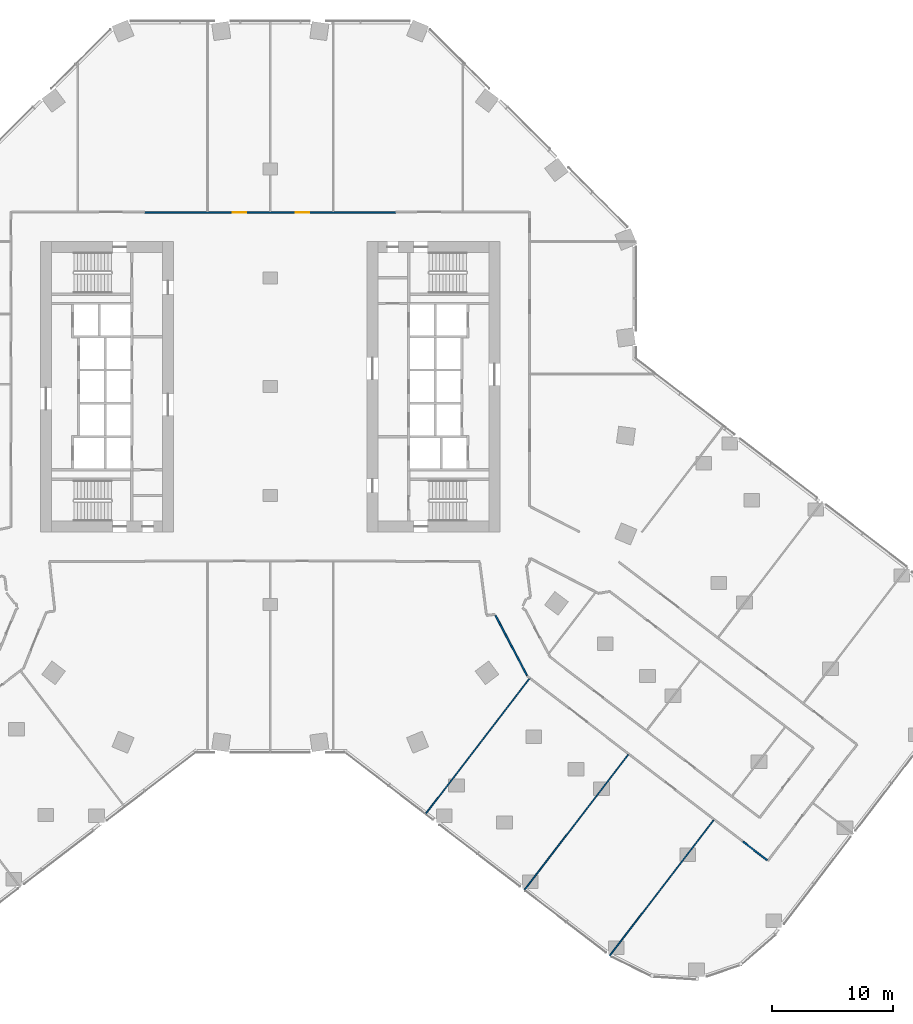
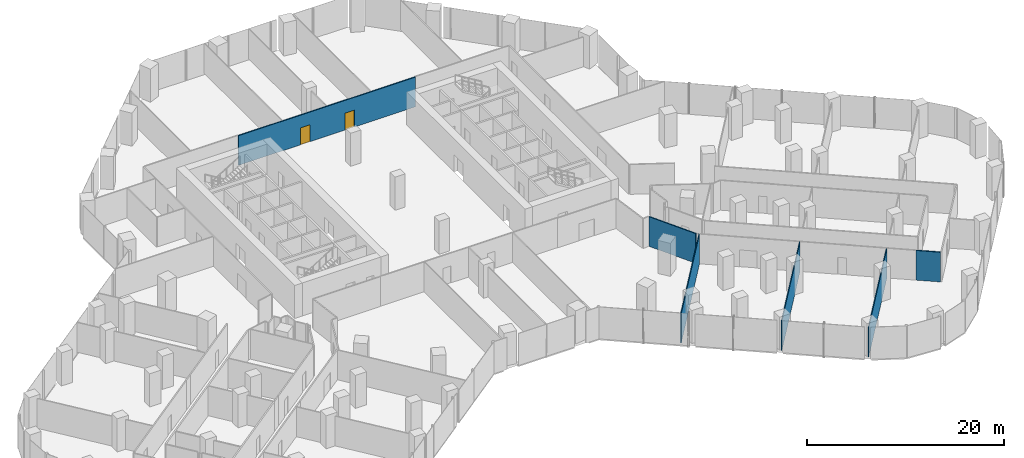
# One storey, part 24 of 29: 6 walls, 2 doors, 2 openings.
"""IFC4 building model written with IfcOpenShell, lengths in metres."""

import ifcopenshell
import ifcopenshell.guid

model = None  # the IFC model being written
_history = None  # IfcOwnerHistory: only IFC2X3 demands one
_inside = {}  # id of a spatial element -> (the spatial element, [elements in it])
_under = {}  # id of a project, library or spatial element -> (it, [spatial elements below it])
_declared = {}  # id of a project -> (the project, [libraries it declares])
_typed = {}  # id of a type object -> (the type object, [elements of that type])
_made_of = {}  # id of a material, layer set ... -> (it, [elements and type objects made of it])


def new_model(schema):
    """Start an empty IFC model of exactly this schema.

    Asked for "IFC4X3", IfcOpenShell would pick the latest addendum, in which some entities
    have other attributes; the version numbers below select the first issue.
    IFC2X3 requires an IfcOwnerHistory on every rooted entity: one is made here for all.
    """
    global model, _history
    if schema == "IFC4X3":
        model = ifcopenshell.file(schema_version=(4, 3, 0, 0))
    else:
        model = ifcopenshell.file(schema=schema)
    _inside.clear()
    _under.clear()
    _declared.clear()
    _typed.clear()
    _made_of.clear()
    _history = None
    if model.schema == "IFC2X3":
        org = make("IfcOrganization", Name="unknown")
        user = make(
            "IfcPersonAndOrganization",
            ThePerson=make("IfcPerson", FamilyName="unknown"),
            TheOrganization=org,
        )
        app = make(
            "IfcApplication",
            ApplicationDeveloper=org,
            Version="unknown",
            ApplicationFullName="unknown",
            ApplicationIdentifier="unknown",
        )
        _history = make(
            "IfcOwnerHistory",
            OwningUser=user,
            OwningApplication=app,
            ChangeAction="ADDED",
            CreationDate=0,
        )
    return model


def make(cls, **values):
    """One entity of the class cls with the attributes given. An attribute that is None is left unset."""
    return model.create_entity(
        cls, **{name: value for name, value in values.items() if value is not None}
    )


def rooted(cls, **values):
    """An entity with a GlobalId (a new one), such as an element, a storey or a relation."""
    return make(cls, GlobalId=ifcopenshell.guid.new(), OwnerHistory=_history, **values)


def si_unit(unit_type, name, prefix=None):
    """IfcSIUnit, for example si_unit("LENGTHUNIT", "METRE", prefix="MILLI")."""
    return make("IfcSIUnit", UnitType=unit_type, Prefix=prefix, Name=name)


def assignment(units):
    """IfcUnitAssignment: the units of a project."""
    return None if units is None else make("IfcUnitAssignment", Units=units)


def point(xyz):
    """IfcCartesianPoint."""
    return None if xyz is None else make("IfcCartesianPoint", Coordinates=xyz)


def direction(xyz):
    """IfcDirection."""
    return None if xyz is None else make("IfcDirection", DirectionRatios=xyz)


def frame(location, z_axis=None, x_axis=None):
    """IfcAxis2Placement3D, a coordinate frame: its origin and axes. An axis left out is left unset."""
    return make(
        "IfcAxis2Placement3D",
        Location=point(location),
        Axis=direction(z_axis),
        RefDirection=direction(x_axis),
    )


def frame_2d(location, x_axis=None):
    """IfcAxis2Placement2D, a coordinate frame in the plane: its origin and x axis."""
    return make(
        "IfcAxis2Placement2D", Location=point(location), RefDirection=direction(x_axis)
    )


def origin():
    """The frame at (0, 0, 0) with its axes left unset."""
    return frame((0.0, 0.0, 0.0))


def place(relative_to, where):
    """IfcLocalPlacement: puts the frame where relative to a parent placement (None: the world)."""
    return make(
        "IfcLocalPlacement", PlacementRelTo=relative_to, RelativePlacement=where
    )


def context(
    kind, dimensions, precision=None, world=None, true_north=None, identifier=None
):
    """IfcGeometricRepresentationContext, for example the 3D "Model" context."""
    return make(
        "IfcGeometricRepresentationContext",
        ContextIdentifier=identifier,
        ContextType=kind,
        CoordinateSpaceDimension=dimensions,
        Precision=precision,
        WorldCoordinateSystem=world,
        TrueNorth=true_north,
    )


def subcontext(parent, identifier, kind, view, scale=None):
    """IfcGeometricRepresentationSubContext, for example "Body" below "Model"."""
    return make(
        "IfcGeometricRepresentationSubContext",
        ContextIdentifier=identifier,
        ContextType=kind,
        ParentContext=parent,
        TargetScale=scale,
        TargetView=view,
    )


def project(units=None, contexts=None):
    """IfcProject with its units and contexts."""
    return rooted(
        "IfcProject",
        Name="project",
        RepresentationContexts=contexts,
        UnitsInContext=assignment(units),
    )


def spatial(cls, under=None, at=None, **own):
    """A site, building, storey or space (cls), placed at a placement, below another one or the project."""
    s = rooted(cls, ObjectPlacement=at, **own)
    if under is not None:
        _under.setdefault(under.id(), (under, []))[1].append(s)
    return s


def profile(cls, at=None, kind="AREA", **sizes):
    """A parametric profile (cls). Its sizes go by their IFC names, for example OverallWidth=200.0."""
    return make(cls, ProfileType=kind, Position=at, **sizes)


def rectangle(**sizes):
    """IfcRectangleProfileDef."""
    return profile("IfcRectangleProfileDef", **sizes)


def extrude(swept, where, along, depth):
    """IfcExtrudedAreaSolid: the profile swept, set in the frame where, extruded along a direction by depth."""
    return make(
        "IfcExtrudedAreaSolid",
        SweptArea=swept,
        Position=where,
        ExtrudedDirection=direction(along),
        Depth=depth,
    )


def shape(context_of_items, identifier, shape_type, items):
    """IfcShapeRepresentation: the items that make up one representation, for example the "Body"."""
    return make(
        "IfcShapeRepresentation",
        ContextOfItems=context_of_items,
        RepresentationIdentifier=identifier,
        RepresentationType=shape_type,
        Items=items,
    )


def material(Name=None, Category=None):
    """IfcMaterial."""
    return make("IfcMaterial", Name=Name, Category=Category)


def layer(
    of_material, thickness, ventilated=None, Name=None, Category=None, Priority=None
):
    """IfcMaterialLayer: one layer of a wall or slab, of a material (None: an air gap)."""
    return make(
        "IfcMaterialLayer",
        Material=of_material,
        LayerThickness=thickness,
        IsVentilated=ventilated,
        Name=Name,
        Category=Category,
        Priority=Priority,
    )


def layer_set(layers, Name=None):
    """IfcMaterialLayerSet."""
    return make("IfcMaterialLayerSet", MaterialLayers=layers, LayerSetName=Name)


def made_of(thing, what):
    """Note that an element or type object is made of a material, layer set ...; save() writes the relation."""
    if what is not None:
        _made_of.setdefault(what.id(), (what, []))[1].append(thing)
    return thing


def type_object(cls, material=None, **own):
    """A type object (cls), such as IfcWallType, which elements share."""
    return made_of(rooted(cls, **own), material)


def element(
    cls,
    number,
    at=None,
    inside=None,
    cuts=None,
    type_object=None,
    material=None,
    context=None,
    identifier="Body",
    shape_type=None,
    held_by="IfcProductDefinitionShape",
    body=None,
    shapes=None,
    **own,
):
    """One element of the class cls, such as IfcWall. Its Tag is "e" and its number.

    at: its placement. inside: the storey or other place that contains it. cuts: it is an
    opening in that element (IfcRelVoidsElement). A single representation is given by context,
    identifier, shape_type and body (its items); several are given by shapes. held_by: the class
    of the entity that holds the representations. save() writes the other relations.
    """
    e = rooted(cls, Tag="e%d" % number, ObjectPlacement=at, **own)
    if body is not None:
        shapes = [shape(context, identifier, shape_type, body)]
    if shapes is not None:
        e.Representation = make(held_by, Representations=shapes)
    if inside is not None:
        _inside.setdefault(inside.id(), (inside, []))[1].append(e)
    if cuts is not None:
        rooted(
            "IfcRelVoidsElement", RelatingBuildingElement=cuts, RelatedOpeningElement=e
        )
    if type_object is not None:
        _typed.setdefault(type_object.id(), (type_object, []))[1].append(e)
    return made_of(e, material)


def fill(opening, filler):
    """IfcRelFillsElement: the door or window that sits in an opening."""
    return rooted(
        "IfcRelFillsElement",
        RelatingOpeningElement=opening,
        RelatedBuildingElement=filler,
    )


def aggregate(whole, parts):
    """IfcRelAggregates: a whole, such as a stair, and the parts it consists of."""
    return rooted("IfcRelAggregates", RelatingObject=whole, RelatedObjects=parts)


def save(model, path):
    """Write the relations noted so far, then the file.

    IfcRelAggregates (storeys below a building ...), IfcRelContainedInSpatialStructure (elements
    in a storey), IfcRelDefinesByType, IfcRelAssociatesMaterial and IfcRelDeclares: one each for
    every whole, place, type object, material and project.
    """
    for whole, parts in _under.values():
        aggregate(whole, parts)
    for where, things in _inside.values():
        rooted(
            "IfcRelContainedInSpatialStructure",
            RelatedElements=things,
            RelatingStructure=where,
        )
    for kind, things in _typed.values():
        rooted("IfcRelDefinesByType", RelatedObjects=things, RelatingType=kind)
    for what, things in _made_of.values():
        rooted("IfcRelAssociatesMaterial", RelatedObjects=things, RelatingMaterial=what)
    for by, libraries in _declared.values():
        rooted("IfcRelDeclares", RelatingContext=by, RelatedDefinitions=libraries)
    model.write(path)


model = new_model("IFC4")

# Units and contexts
model_context = context("Model", 3, precision=1e-05, world=origin(), true_north=direction((0.0, 1.0)))
body_context = subcontext(model_context, "Body", "Model", "MODEL_VIEW")
ifc_project = project(units=[si_unit("LENGTHUNIT", "METRE"), si_unit("AREAUNIT", "SQUARE_METRE"), si_unit("VOLUMEUNIT", "CUBIC_METRE"), si_unit("PLANEANGLEUNIT", "RADIAN"), si_unit("MASSUNIT", "GRAM", prefix="KILO")], contexts=[model_context])

# Site, building, storey
site_placement = place(None, origin())
site = spatial("IfcSite", under=ifc_project, at=site_placement, CompositionType="ELEMENT")
building_placement = place(site_placement, origin())
building = spatial("IfcBuilding", under=site, at=building_placement, Name="Orlundy Tower", CompositionType="ELEMENT")
storey_placement = place(building_placement, frame((0.0, 0.0, 25.10009765625)))
storey = spatial("IfcBuildingStorey", under=building, at=storey_placement, Name="L04", CompositionType="ELEMENT", Elevation=25.10009765625)

# Walls
ifc_material_1 = material(Name="Gypsum board partition")
ifc_layer_1 = layer(ifc_material_1, 0.10009765625)
ifc_layer_set_1 = layer_set([ifc_layer_1], Name="Floor partition 100")
wall_type_1 = type_object("IfcWallType", Name="Floor partition 100", PredefinedType="PARTITIONING", material=ifc_layer_set_1)
for number, where, z_axis, x_axis, name in (
    (1, (28.053955078125, -47.051025390625, 0.0), (0.0, 0.0, 1.0), (0.608819037892, 0.793309132117, 0.0), "wall-int-L04-073"),
    (2, (20.992919921875, -41.633056640625, 0.0), (0.0, 0.0, 1.0), (0.608829906099, 0.793300791277, 0.0), "wall-int-L04-076"),
):
    element("IfcWall", number, at=place(storey_placement, frame(where, z_axis=z_axis, x_axis=x_axis)), inside=storey, type_object=wall_type_1, Name=name, PredefinedType="PARTITIONING", context=body_context, shape_type="SweptSolid", body=[
        extrude(rectangle(XDim=14.13720703125, YDim=0.10009765625, at=frame_2d((7.068603515625, 0.0))), origin(), (0.0, 0.0, 1.0), 3.679931640625),
    ])
wall_1_placement = place(storey_placement, frame((12.81689453125, -35.35888671875, 0.0), z_axis=(0.0, 0.0, 1.0), x_axis=(0.608769712687, 0.793346983932, 0.0)))
element("IfcWall", 3, at=wall_1_placement, inside=storey, type_object=wall_type_1, Name="wall-int-L04-079", PredefinedType="PARTITIONING", context=body_context, shape_type="SweptSolid", body=[
    extrude(rectangle(XDim=14.19921875, YDim=0.10009765625, at=frame_2d((7.099609375, 0.0))), origin(), (0.0, 0.0, 1.0), 3.679931640625),
])
ifc_material_2 = material(Name="Gypsum board partition, double layer")
ifc_layer_2 = layer(ifc_material_2, 0.125)
ifc_layer_set_2 = layer_set([ifc_layer_2], Name="Floor partition 125")
wall_type_2 = type_object("IfcWallType", Name="Floor partition 125", PredefinedType="PARTITIONING", material=ifc_layer_set_2)
wall_2_placement = place(storey_placement, frame((18.614990234375, -18.908935546875, 0.0), z_axis=(0.0, 0.0, 1.0), x_axis=(0.464655649815, -0.885491460769, 0.0)))
element("IfcWall", 4, at=wall_2_placement, inside=storey, type_object=wall_type_2, Name="wall-int-L04-008", PredefinedType="PARTITIONING", context=body_context, shape_type="SweptSolid", body=[
    extrude(rectangle(XDim=5.6103515625, YDim=0.125, at=frame_2d((2.80517578125, 0.0))), origin(), (0.0, 0.0, 1.0), 3.679931640625),
])
wall_3_placement = place(storey_placement, frame((39.089111328125, -37.6201171875, 0.0), z_axis=(0.0, 0.0, 1.0), x_axis=(0.793216962218, -0.608939119166, 0.0)))
element("IfcWall", 5, at=wall_3_placement, inside=storey, type_object=wall_type_2, Name="wall-int-L04-027", PredefinedType="PARTITIONING", context=body_context, shape_type="SweptSolid", body=[
    extrude(rectangle(XDim=2.52392578125, YDim=0.125, at=frame_2d((1.261962890625, 0.0))), origin(), (0.0, 0.0, 1.0), 3.679931640625),
])

# Wall, openings, doors
wall_4_placement = place(storey_placement, frame((-10.389892578125, 14.40087890625, 0.0), z_axis=(0.0, 0.0, 1.0), x_axis=(1.0, 0.0, 0.0)))
wall_4 = element("IfcWall", 6, at=wall_4_placement, inside=storey, type_object=wall_type_2, Name="wall-int-L04-047", PredefinedType="PARTITIONING", context=body_context, shape_type="SweptSolid", body=[
    extrude(rectangle(XDim=20.781005859375, YDim=0.125, at=frame_2d((10.390625, 0.0))), origin(), (0.0, 0.0, 1.0), 3.679931640625),
])
opening_1_placement = place(wall_4_placement, frame((12.489990234375, 0.0, 0.0)))
opening_1 = element("IfcOpeningElement", 7, at=opening_1_placement, cuts=wall_4, Name="Opening 05133", PredefinedType="OPENING", context=body_context, shape_type="SweptSolid", body=[
    extrude(rectangle(XDim=1.10009765625, YDim=2.10009765625, at=frame_2d((0.550048828125, 1.050048828125))), frame((0.0, 0.072509765625, 0.0), z_axis=(0.0, -1.0, 0.0), x_axis=(1.0, 0.0, 0.0)), (0.0, 0.0, 1.0), 0.14501953125),
])
opening_2_placement = place(wall_4_placement, frame((7.294921875, 0.0, 0.0)))
opening_2 = element("IfcOpeningElement", 8, at=opening_2_placement, cuts=wall_4, Name="Opening 05134", PredefinedType="OPENING", context=body_context, shape_type="SweptSolid", body=[
    extrude(rectangle(XDim=1.10009765625, YDim=2.10009765625, at=frame_2d((0.550048828125, 1.050048828125))), frame((0.0, 0.072509765625, 0.0), z_axis=(0.0, -1.0, 0.0), x_axis=(1.0, 0.0, 0.0)), (0.0, 0.0, 1.0), 0.14501953125),
])
ifc_material_3 = material(Name="Timber door leaf", Category="wood")
door_type = type_object("IfcDoorType", Name="Floor door xwide 1100 FD30S", OperationType="NOTDEFINED", PredefinedType="DOOR", material=ifc_material_3)
door_1_placement = place(opening_1_placement, origin())
door_1 = element("IfcDoor", 9, at=door_1_placement, inside=storey, type_object=door_type, Name="Door 05133", OperationType="SINGLE_SWING_RIGHT", OverallHeight=2.10009765625, OverallWidth=1.10009765625, PredefinedType="DOOR", context=body_context, shape_type="SweptSolid", body=[
    extrude(rectangle(XDim=1.10009765625, YDim=2.10009765625, at=frame_2d((0.550048828125, 1.050048828125))), frame((0.0, 0.02490234375, 0.0), z_axis=(0.0, -1.0, 0.0), x_axis=(1.0, 0.0, 0.0)), (0.0, 0.0, 1.0), 0.050048828125),
])
fill(opening_1, door_1)
door_2_placement = place(opening_2_placement, origin())
door_2 = element("IfcDoor", 10, at=door_2_placement, inside=storey, type_object=door_type, Name="Door 05134", OperationType="SINGLE_SWING_LEFT", OverallHeight=2.10009765625, OverallWidth=1.10009765625, PredefinedType="DOOR", context=body_context, shape_type="SweptSolid", body=[
    extrude(rectangle(XDim=1.10009765625, YDim=2.10009765625, at=frame_2d((0.550048828125, 1.050048828125))), frame((0.0, 0.02490234375, 0.0), z_axis=(0.0, -1.0, 0.0), x_axis=(1.0, 0.0, 0.0)), (0.0, 0.0, 1.0), 0.050048828125),
])
fill(opening_2, door_2)

save(model, "model.ifc")
